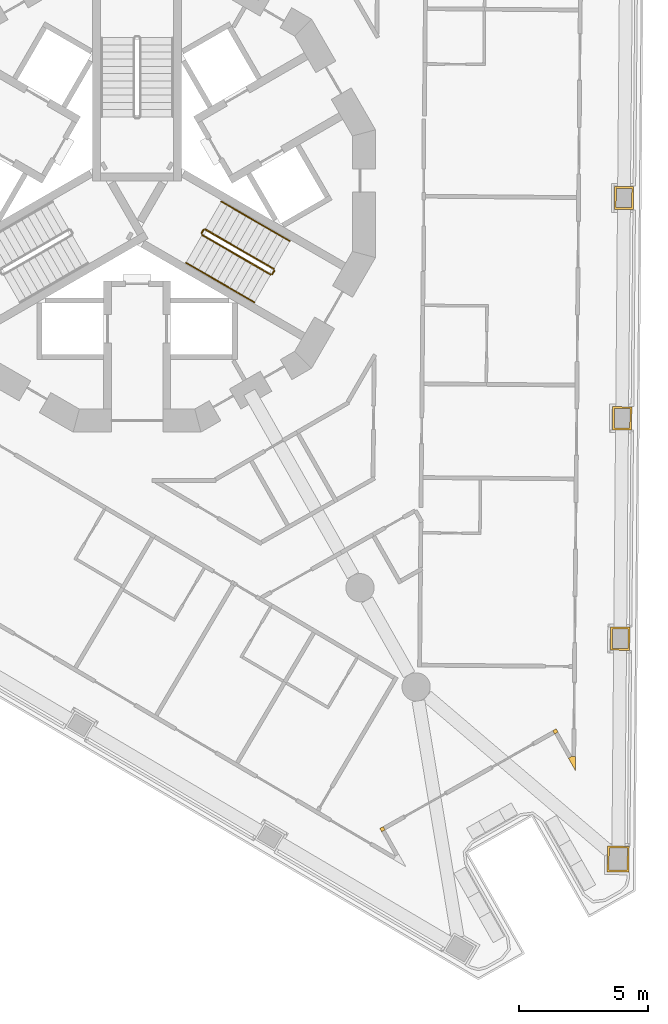
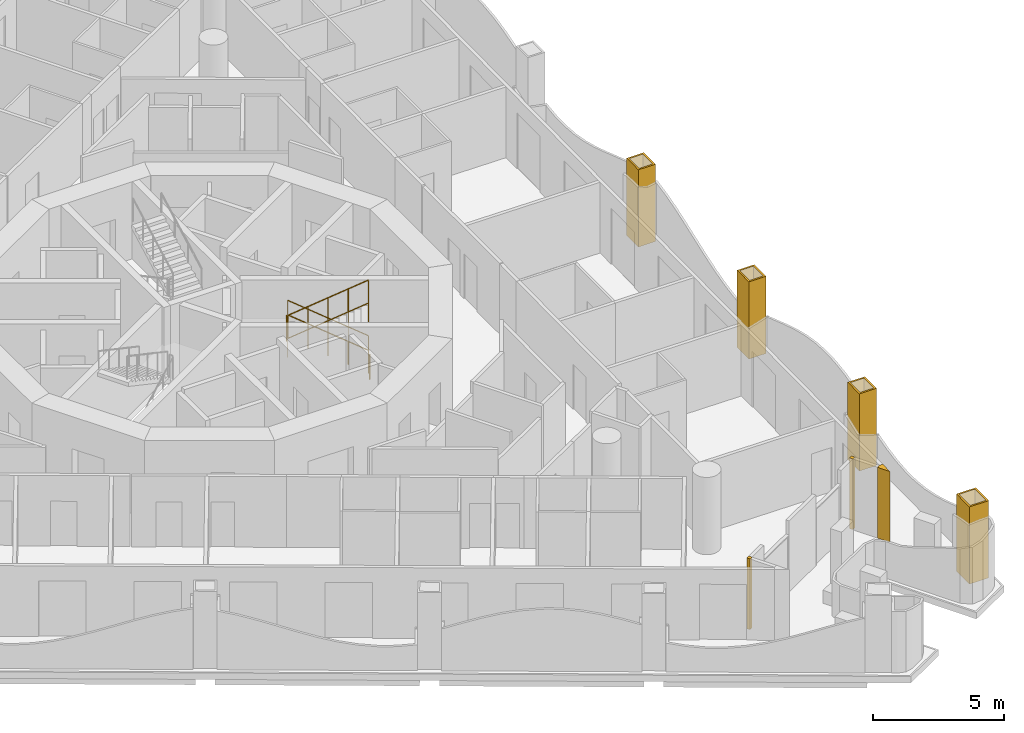
# One storey, part 15 of 18: 8 railings, 7 coverings.
"""IFC4 building model written with IfcOpenShell, lengths in metres."""

from ifc_helpers import new_model, si_unit, direction, frame, origin, origin_2d, place, context, subcontext, project, spatial, polyline, circle, outline, extrude, material, layer, layer_set, type_object, element, save


model = new_model("IFC4")

# Units and contexts
model_context = context("Model", 3, precision=1e-05, world=origin(), true_north=direction((0.0, 1.0)))
body_context = subcontext(model_context, "Body", "Model", "MODEL_VIEW")
ifc_project = project(units=[si_unit("LENGTHUNIT", "METRE"), si_unit("AREAUNIT", "SQUARE_METRE"), si_unit("VOLUMEUNIT", "CUBIC_METRE"), si_unit("PLANEANGLEUNIT", "RADIAN"), si_unit("MASSUNIT", "GRAM", prefix="KILO")], contexts=[model_context])

# Site, building, storey
site_placement = place(None, origin())
site = spatial("IfcSite", under=ifc_project, at=site_placement, CompositionType="ELEMENT")
building_placement = place(site_placement, origin())
building = spatial("IfcBuilding", under=site, at=building_placement, Name="Trine Commons Tower", CompositionType="ELEMENT")
storey_placement = place(building_placement, frame((0.0, 0.0, 171.89990234375)))
storey = spatial("IfcBuildingStorey", under=building, at=storey_placement, Name="L44", CompositionType="ELEMENT", Elevation=171.89990234375)

# Coverings
ifc_material_1 = material(Name="Aluminium-framed insulated wall panel", Category="aluminium")
ifc_layer_1 = layer(ifc_material_1, 0.14990234375)
ifc_layer_set_1 = layer_set([ifc_layer_1], Name="Aluminium-framed insulated wall panel")
covering_type_1 = type_object("IfcCoveringType", Name="Glazing corner post, aluminium", PredefinedType="CLADDING", material=ifc_layer_set_1)
covering_1_placement = place(storey_placement, origin())
element("IfcCovering", 1, at=covering_1_placement, inside=storey, type_object=covering_type_1, Name="Glazing corner post 5-09", PredefinedType="CLADDING", context=body_context, shape_type="SweptSolid", body=[
    extrude(outline(polyline([(96.776611328125, 40.5439453125), (97.05224609375, 40.056640625), (97.05712890625, 40.616455078125), (96.9072265625, 40.617919921875), (96.9072265625, 40.617919921875), (96.776611328125, 40.5439453125)])), origin(), (0.0, 0.0, 1.0), 3.300048828125),
])
covering_2_placement = place(storey_placement, origin())
element("IfcCovering", 2, at=covering_2_placement, inside=storey, type_object=covering_type_1, Name="Glazing corner post 5-10", PredefinedType="CLADDING", context=body_context, shape_type="SweptSolid", body=[
    extrude(outline(polyline([(96.168212890625, 41.619384765625), (96.241943359375, 41.489013671875), (96.37255859375, 41.562744140625), (96.298583984375, 41.693359375), (96.168212890625, 41.619384765625)])), origin(), (0.0, 0.0, 1.0), 3.300048828125),
])
covering_3_placement = place(storey_placement, origin())
element("IfcCovering", 3, at=covering_3_placement, inside=storey, type_object=covering_type_1, Name="Glazing corner post 5-11", PredefinedType="CLADDING", context=body_context, shape_type="SweptSolid", body=[
    extrude(outline(polyline([(89.51416015625, 37.6826171875), (89.644775390625, 37.75634765625), (89.57080078125, 37.886962890625), (89.440185546875, 37.81298828125), (89.51416015625, 37.6826171875)])), origin(), (0.0, 0.0, 1.0), 3.300048828125),
])
ifc_material_2 = material(Name="Limestone, honed", Category="masonry")
ifc_layer_2 = layer(ifc_material_2, 0.074951171875)
ifc_layer_set_2 = layer_set([ifc_layer_2], Name="Limestone, honed")
covering_type_2 = type_object("IfcCoveringType", Name="Limestone column cladding 75", PredefinedType="CLADDING", material=ifc_layer_set_2)
covering_4_placement = place(storey_placement, origin())
element("IfcCovering", 4, at=covering_4_placement, inside=storey, type_object=covering_type_2, Name="Limestone pier cladding 5-18", PredefinedType="CLADDING", context=body_context, shape_type="SweptSolid", body=[
    extrude(outline(polyline([(99.315673828125, 62.781494140625), (98.565673828125, 62.7880859375), (98.557861328125, 61.887939453125), (99.307861328125, 61.88134765625), (99.315673828125, 62.781494140625)]), holes=[polyline([(99.239990234375, 62.70703125), (98.64013671875, 62.71240234375), (98.633544921875, 61.96240234375), (99.2333984375, 61.95703125), (99.239990234375, 62.70703125)])]), origin(), (0.0, 0.0, 1.0), 3.60009765625),
])
covering_5_placement = place(storey_placement, origin())
element("IfcCovering", 5, at=covering_5_placement, inside=storey, type_object=covering_type_2, Name="Limestone pier cladding 5-19", PredefinedType="CLADDING", context=body_context, shape_type="SweptSolid", body=[
    extrude(outline(polyline([(99.240966796875, 54.211181640625), (98.490966796875, 54.2177734375), (98.483154296875, 53.31787109375), (99.233154296875, 53.311279296875), (99.240966796875, 54.211181640625)]), holes=[polyline([(99.165283203125, 54.136962890625), (98.565185546875, 54.14208984375), (98.55859375, 53.39208984375), (99.15869140625, 53.386962890625), (99.165283203125, 54.136962890625)])]), origin(), (0.0, 0.0, 1.0), 3.60009765625),
])
covering_6_placement = place(storey_placement, origin())
element("IfcCovering", 6, at=covering_6_placement, inside=storey, type_object=covering_type_2, Name="Limestone pier cladding 5-20", PredefinedType="CLADDING", context=body_context, shape_type="SweptSolid", body=[
    extrude(outline(polyline([(99.166015625, 45.640869140625), (98.416015625, 45.6474609375), (98.408203125, 44.74755859375), (99.158203125, 44.740966796875), (99.166015625, 45.640869140625)]), holes=[polyline([(99.090576171875, 45.566650390625), (98.490478515625, 45.57177734375), (98.48388671875, 44.82177734375), (99.083984375, 44.816650390625), (99.090576171875, 45.566650390625)])]), origin(), (0.0, 0.0, 1.0), 3.60009765625),
])
covering_7_placement = place(storey_placement, origin())
element("IfcCovering", 7, at=covering_7_placement, inside=storey, type_object=covering_type_2, Name="Limestone pier cladding 5-21", PredefinedType="CLADDING", context=body_context, shape_type="SweptSolid", body=[
    extrude(outline(polyline([(99.1416015625, 37.1201171875), (98.291748046875, 37.127685546875), (98.283203125, 36.127685546875), (99.133056640625, 36.1201171875), (99.1416015625, 37.1201171875)]), holes=[polyline([(99.066162109375, 37.0458984375), (98.3662109375, 37.052001953125), (98.358642578125, 36.201904296875), (99.05859375, 36.19580078125), (99.066162109375, 37.0458984375)])]), origin(), (0.0, 0.0, 1.0), 3.60009765625),
])

# Railings
ifc_material_3 = material(Name="Stainless steel balustrade", Category="steel")
railing_type_1 = type_object("IfcRailingType", Name="Stair guard, steel balustrade 1100", PredefinedType="GUARDRAIL", material=ifc_material_3)
railing_1_placement = place(storey_placement, frame((85.31982421875, 59.572998046875, 0.150146484375)))
element("IfcRailing", 8, at=railing_1_placement, inside=storey, type_object=railing_type_1, Name="L44 ST3B stair guard 1", PredefinedType="GUARDRAIL", context=body_context, shape_type="SweptSolid", body=[
    extrude(circle(Radius=0.02392578125, at=origin_2d()), frame((0.0, 0.0, 1.076171875), z_axis=(-0.76340495495, 0.440743040072, 0.472184759798), x_axis=(-0.499992328818, -0.866029832698, 0.0)), (0.0, 0.0, 1.0), 3.494140625),
    extrude(circle(Radius=0.02099609375, at=origin_2d()), origin(), (0.0, 0.0, 1.0), 1.052001953125),
    extrude(circle(Radius=0.02099609375, at=origin_2d()), frame((-0.6669921875, 0.385009765625, 0.41259765625)), (0.0, 0.0, 1.0), 1.052001953125),
    extrude(circle(Radius=0.02099609375, at=origin_2d()), frame((-1.333740234375, 0.77001953125, 0.824951171875)), (0.0, 0.0, 1.0), 1.052001953125),
    extrude(circle(Radius=0.02099609375, at=origin_2d()), frame((-2.00048828125, 1.155029296875, 1.2373046875)), (0.0, 0.0, 1.0), 1.052001953125),
    extrude(circle(Radius=0.02099609375, at=origin_2d()), frame((-2.66748046875, 1.5400390625, 1.64990234375)), (0.0, 0.0, 1.0), 1.052001953125),
])
railing_2_placement = place(storey_placement, frame((82.584228515625, 61.0947265625, 1.800048828125)))
element("IfcRailing", 9, at=railing_2_placement, inside=storey, type_object=railing_type_1, Name="L44 ST3B stair guard 2", PredefinedType="GUARDRAIL", context=body_context, shape_type="SweptSolid", body=[
    extrude(circle(Radius=0.02392578125, at=origin_2d()), frame((0.0, 0.0, 1.076171875), z_axis=(-0.501036270542, -0.865426285481, 0.0), x_axis=(0.865426285481, -0.501036270542, 0.0)), (0.0, 0.0, 1.0), 0.150146484375),
    extrude(circle(Radius=0.02099609375, at=origin_2d()), origin(), (0.0, 0.0, 1.0), 1.052001953125),
    extrude(circle(Radius=0.02099609375, at=origin_2d()), frame((-0.0751953125, -0.1298828125, 0.0)), (0.0, 0.0, 1.0), 1.052001953125),
])
railing_3_placement = place(storey_placement, frame((82.52734375, 60.896484375, 1.9501953125)))
element("IfcRailing", 10, at=railing_3_placement, inside=storey, type_object=railing_type_1, Name="L44 ST3B stair guard 3", PredefinedType="GUARDRAIL", context=body_context, shape_type="SweptSolid", body=[
    extrude(circle(Radius=0.02392578125, at=origin_2d()), frame((0.0, 0.0, 1.076171875), z_axis=(0.76340495495, -0.440743040072, 0.472184759798), x_axis=(0.499992328818, 0.866029832698, 0.0)), (0.0, 0.0, 1.0), 3.494140625),
    extrude(circle(Radius=0.02099609375, at=origin_2d()), origin(), (0.0, 0.0, 1.0), 1.052001953125),
    extrude(circle(Radius=0.02099609375, at=origin_2d()), frame((0.6669921875, -0.385009765625, 0.41259765625)), (0.0, 0.0, 1.0), 1.052001953125),
    extrude(circle(Radius=0.02099609375, at=origin_2d()), frame((1.333740234375, -0.77001953125, 0.824951171875)), (0.0, 0.0, 1.0), 1.052001953125),
    extrude(circle(Radius=0.02099609375, at=origin_2d()), frame((2.00048828125, -1.155029296875, 1.2373046875)), (0.0, 0.0, 1.0), 1.052001953125),
    extrude(circle(Radius=0.02099609375, at=origin_2d()), frame((2.66748046875, -1.5400390625, 1.64990234375)), (0.0, 0.0, 1.0), 1.052001953125),
])
railing_4_placement = place(storey_placement, frame((85.338134765625, 59.504638671875, 0.0)))
element("IfcRailing", 11, at=railing_4_placement, inside=storey, type_object=railing_type_1, Name="L44 ST3B stair guard 4", PredefinedType="GUARDRAIL", context=body_context, shape_type="SweptSolid", body=[
    extrude(circle(Radius=0.02392578125, at=origin_2d()), frame((0.0, 0.0, 1.076171875), z_axis=(-0.499816412211, -0.866131372301, 0.0), x_axis=(0.866131372301, -0.499816412211, 0.0)), (0.0, 0.0, 1.0), 0.14990234375),
    extrude(circle(Radius=0.02099609375, at=origin_2d()), origin(), (0.0, 0.0, 1.0), 1.052001953125),
    extrude(circle(Radius=0.02099609375, at=origin_2d()), frame((-0.074951171875, -0.1298828125, 0.0)), (0.0, 0.0, 1.0), 1.052001953125),
])
ifc_material_4 = material(Name="Stainless steel handrail", Category="steel")
railing_type_2 = type_object("IfcRailingType", Name="Stair handrail, steel 900", PredefinedType="HANDRAIL", material=ifc_material_4)
for number, where, name in (
    (12, (85.94482421875, 60.655517578125, 0.150146484375), "L44 ST3B stair handrail 1"),
    (13, (84.611083984375, 61.425537109375, 0.97509765625), "L44 ST3B stair handrail 2"),
):
    element("IfcRailing", number, at=place(storey_placement, frame(where)), inside=storey, type_object=railing_type_2, Name=name, PredefinedType="HANDRAIL", context=body_context, shape_type="SweptSolid", body=[
        extrude(circle(Radius=0.02099609375, at=origin_2d()), frame((0.0, 0.0, 0.87890625), z_axis=(-0.76340495495, 0.440743040072, 0.472184759798), x_axis=(-0.499992328818, -0.866029832698, 0.0)), (0.0, 0.0, 1.0), 1.7470703125),
        extrude(circle(Radius=0.01513671875, at=origin_2d()), origin(), (0.0, 0.0, 1.0), 0.85791015625),
        extrude(circle(Radius=0.01513671875, at=origin_2d()), frame((-0.6669921875, 0.385009765625, 0.41259765625)), (0.0, 0.0, 1.0), 0.85791015625),
        extrude(circle(Radius=0.01513671875, at=origin_2d()), frame((-1.333740234375, 0.77001953125, 0.824951171875)), (0.0, 0.0, 1.0), 0.85791015625),
    ])
for number, where, name in (
    (14, (81.90234375, 59.81396484375, 1.9501953125), "L44 ST3B stair handrail 3"),
    (15, (83.236083984375, 59.0439453125, 2.775146484375), "L44 ST3B stair handrail 4"),
):
    element("IfcRailing", number, at=place(storey_placement, frame(where)), inside=storey, type_object=railing_type_2, Name=name, PredefinedType="HANDRAIL", context=body_context, shape_type="SweptSolid", body=[
        extrude(circle(Radius=0.02099609375, at=origin_2d()), frame((0.0, 0.0, 0.87890625), z_axis=(0.76340495495, -0.440743040072, 0.472184759798), x_axis=(0.499992328818, 0.866029832698, 0.0)), (0.0, 0.0, 1.0), 1.7470703125),
        extrude(circle(Radius=0.01513671875, at=origin_2d()), origin(), (0.0, 0.0, 1.0), 0.85791015625),
        extrude(circle(Radius=0.01513671875, at=origin_2d()), frame((0.6669921875, -0.385009765625, 0.41259765625)), (0.0, 0.0, 1.0), 0.85791015625),
        extrude(circle(Radius=0.01513671875, at=origin_2d()), frame((1.333740234375, -0.77001953125, 0.824951171875)), (0.0, 0.0, 1.0), 0.85791015625),
    ])

save(model, "model.ifc")
